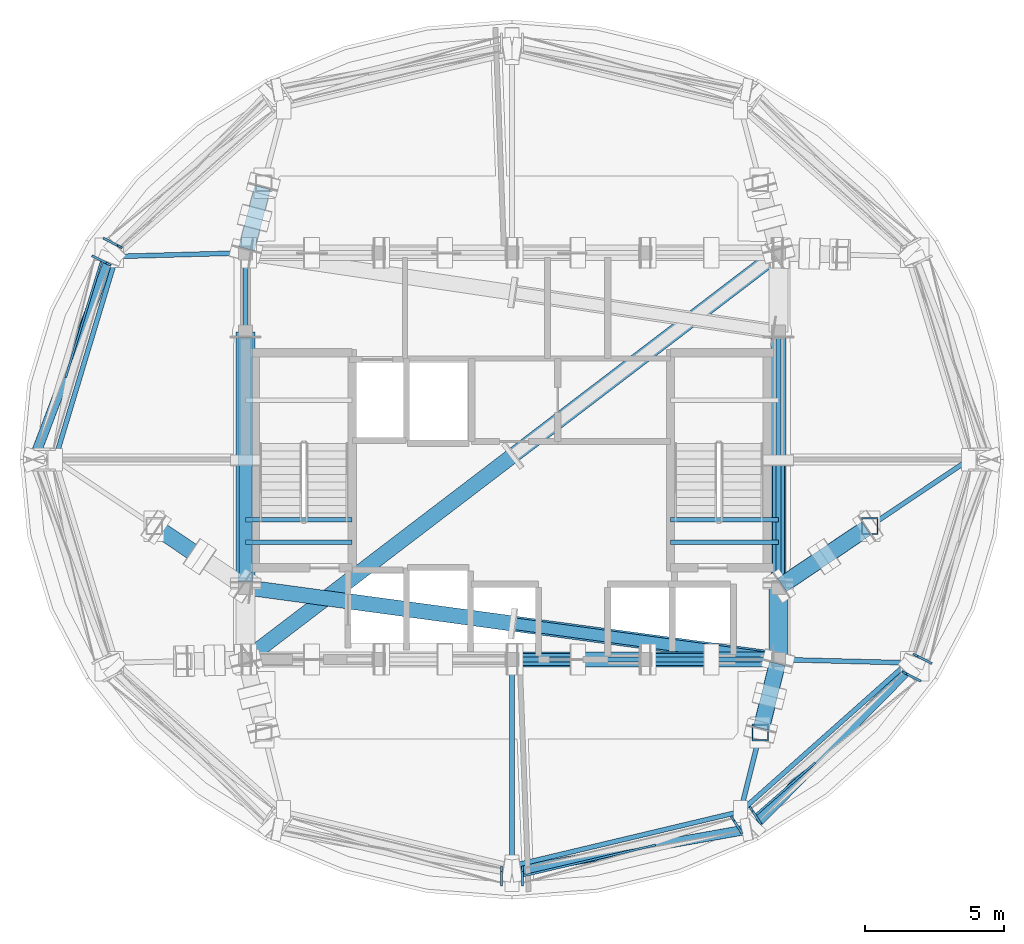
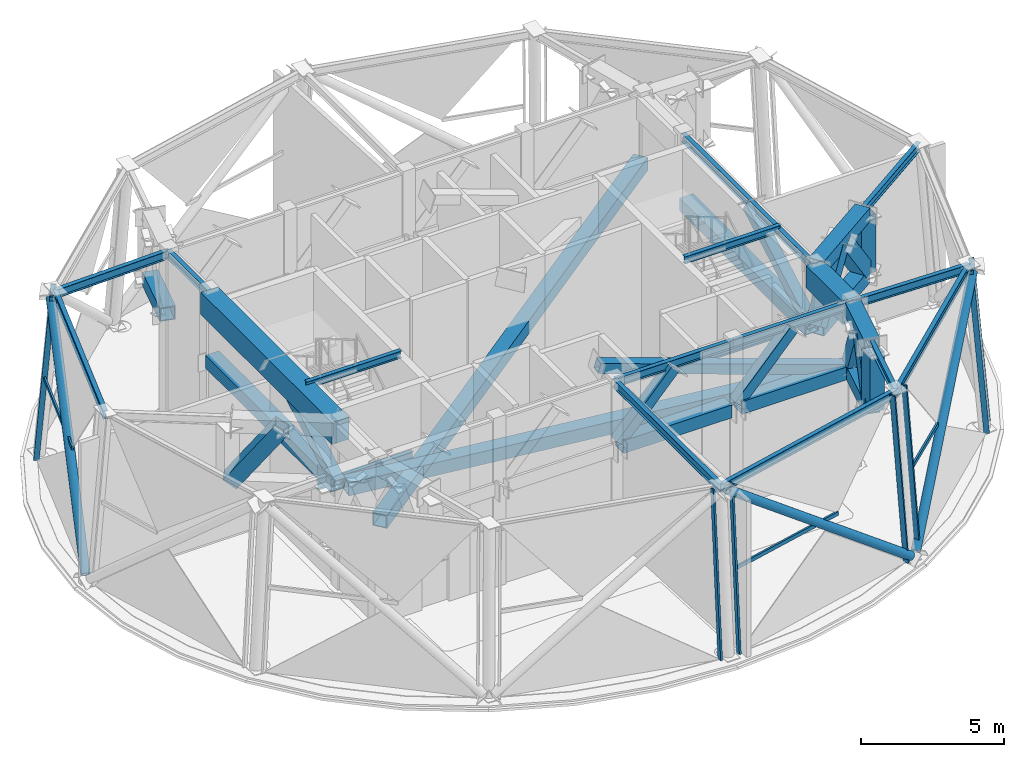
# One storey, part 2 of 12: 37 members, 18 beams, 6 elements without a shape of their own.
"""IFC4 building model written with IfcOpenShell, lengths in metres."""

from ifc_helpers import new_model, si_unit, direction, frame, origin, origin_2d, place, context, subcontext, project, spatial, rectangle, hollow_rectangle, hollow_circle, i_section, extrude, material, layer, layer_set, material_profile, profile_set, type_object, element, aggregate, save


model = new_model("IFC4")

# Units and contexts
model_context = context("Model", 3, precision=1e-05, world=origin(), true_north=direction((0.0, 1.0)))
body_context = subcontext(model_context, "Body", "Model", "MODEL_VIEW")
ifc_project = project(units=[si_unit("LENGTHUNIT", "METRE"), si_unit("AREAUNIT", "SQUARE_METRE"), si_unit("VOLUMEUNIT", "CUBIC_METRE"), si_unit("PLANEANGLEUNIT", "RADIAN"), si_unit("MASSUNIT", "GRAM", prefix="KILO")], contexts=[model_context])

# Site, building, storey
site_placement = place(None, origin())
site = spatial("IfcSite", under=ifc_project, at=site_placement, CompositionType="ELEMENT")
building_placement = place(site_placement, origin())
building = spatial("IfcBuilding", under=site, at=building_placement, Name="Vantalir Tower", CompositionType="ELEMENT")
storey_placement = place(building_placement, frame((0.0, 0.0, 304.5)))
storey = spatial("IfcBuildingStorey", under=building, at=storey_placement, Name="L76", CompositionType="ELEMENT", Elevation=304.5)

# Beams
ifc_material_1 = material(Name="Concrete C60/75", Category="concrete")
ifc_material_profile_1 = material_profile(ifc_material_1, rectangle(XDim=0.699951171875, YDim=0.949951171875, at=origin_2d()), Name="Concrete C60/75")
ifc_profile_set_1 = profile_set([ifc_material_profile_1], Name="Concrete C60/75")
beam_type_1 = type_object("IfcBeamType", Name="BM-CB-700x950", PredefinedType="USERDEFINED", material=ifc_profile_set_1)
beam_1_placement = place(storey_placement, frame((41.10009765625, 17.800048828125, 6.594970703125), z_axis=(0.0, 1.0, 0.0), x_axis=(-1.0, 0.0, 0.0)))
element("IfcBeam", 1, at=beam_1_placement, inside=storey, type_object=beam_type_1, Name="L76 Core Coupling Girder 05", ObjectType="GIRDER", PredefinedType="USERDEFINED", context=body_context, shape_type="SweptSolid", body=[
    extrude(rectangle(XDim=0.699951171875, YDim=0.949951171875, at=origin_2d()), origin(), (0.0, 0.0, 1.0), 2.599853515625),
])
beam_2_placement = place(storey_placement, frame((21.89990234375, 29.60009765625, 6.594970703125), z_axis=(0.0, -1.0, 0.0), x_axis=(1.0, 0.0, 0.0)))
element("IfcBeam", 2, at=beam_2_placement, inside=storey, type_object=beam_type_1, Name="L76 Core Coupling Girder 13", ObjectType="GIRDER", PredefinedType="USERDEFINED", context=body_context, shape_type="SweptSolid", body=[
    extrude(rectangle(XDim=0.699951171875, YDim=0.949951171875, at=origin_2d()), origin(), (0.0, 0.0, 1.0), 9.2001953125),
])
ifc_material_2 = material(Name="Steel S355", Category="steel")
ifc_material_profile_2 = material_profile(ifc_material_2, i_section(OverallWidth=0.166015625, OverallDepth=0.306884765625, WebThickness=0.006591796875, FlangeThickness=0.01171875, at=origin_2d()), Name="Steel S355")
ifc_profile_set_2 = profile_set([ifc_material_profile_2], Name="Steel S355")
beam_type_2 = type_object("IfcBeamType", Name="BM-JS-305x165", PredefinedType="JOIST", material=ifc_profile_set_2)
for number, where, z_axis, x_axis, name in (
    (3, (21.89990234375, 22.8349609375, 7.095947265625), (1.0, 0.0, 0.0), (0.0, 1.0, 0.0), "L77 Stair ST1 Well Nosing Trimmer Beam"),
    (4, (21.89990234375, 22.02001953125, 3.27197265625), (1.0, 0.0, 0.0), (0.0, 1.0, 0.0), "L76 Stair ST1 Half-Landing Support Beam"),
):
    element("IfcBeam", number, at=place(storey_placement, frame(where, z_axis=z_axis, x_axis=x_axis)), inside=storey, type_object=beam_type_2, Name=name, PredefinedType="JOIST", context=body_context, shape_type="SweptSolid", body=[
        extrude(i_section(OverallWidth=0.166015625, OverallDepth=0.306884765625, WebThickness=0.006591796875, FlangeThickness=0.01171875, at=origin_2d()), origin(), (0.0, 0.0, 1.0), 3.840087890625),
    ])
for number, where, z_axis, x_axis, name in (
    (5, (37.2099609375, 22.8349609375, 7.095947265625), (1.0, 0.0, 0.0), (0.0, 1.0, 0.0), "L77 Stair ST2 Well Nosing Trimmer Beam"),
    (6, (37.2099609375, 22.02001953125, 3.27197265625), (1.0, 0.0, 0.0), (0.0, 1.0, 0.0), "L76 Stair ST2 Half-Landing Support Beam"),
):
    element("IfcBeam", number, at=place(storey_placement, frame(where, z_axis=z_axis, x_axis=x_axis)), inside=storey, type_object=beam_type_2, Name=name, PredefinedType="JOIST", context=body_context, shape_type="SweptSolid", body=[
        extrude(i_section(OverallWidth=0.166015625, OverallDepth=0.306884765625, WebThickness=0.006591796875, FlangeThickness=0.01171875, at=origin_2d()), origin(), (0.0, 0.0, 1.0), 3.89013671875),
    ])
ifc_material_3 = material(Name="Steel S460", Category="steel")
ifc_material_profile_3 = material_profile(ifc_material_3, i_section(OverallWidth=0.172119140625, OverallDepth=0.35791015625, WebThickness=0.008056640625, FlangeThickness=0.012939453125, at=origin_2d()), Name="Steel S460")
ifc_profile_set_3 = profile_set([ifc_material_profile_3], Name="Steel S460")
beam_type_3 = type_object("IfcBeamType", Name="BM-RB-356x171", PredefinedType="BEAM", material=ifc_profile_set_3)
for number, where, z_axis, x_axis, name in (
    (7, (31.5, 17.800048828125, 6.89111328125), (1.0, 0.0, 0.0), (0.0, 1.0, 0.0), "L76 Core Coupling Girder 03"),
    (8, (36.300048828125, 17.800048828125, 6.89111328125), (1.0, 0.0, 0.0), (0.0, 1.0, 0.0), "L76 Core Coupling Girder 04"),
):
    element("IfcBeam", number, at=place(storey_placement, frame(where, z_axis=z_axis, x_axis=x_axis)), inside=storey, type_object=beam_type_3, Name=name, PredefinedType="BEAM", context=body_context, shape_type="SweptSolid", body=[
        extrude(i_section(OverallWidth=0.172119140625, OverallDepth=0.35791015625, WebThickness=0.008056640625, FlangeThickness=0.012939453125, at=origin_2d()), origin(), (0.0, 0.0, 1.0), 4.800048828125),
    ])
beam_3_placement = place(storey_placement, frame((41.10009765625, 20.39990234375, 6.89111328125), z_axis=(0.0, 1.0, 0.0), x_axis=(-1.0, 0.0, 0.0)))
element("IfcBeam", 9, at=beam_3_placement, inside=storey, type_object=beam_type_3, Name="L76 Core Coupling Girder 06", PredefinedType="BEAM", context=body_context, shape_type="SweptSolid", body=[
    extrude(i_section(OverallWidth=0.172119140625, OverallDepth=0.35791015625, WebThickness=0.008056640625, FlangeThickness=0.012939453125, at=origin_2d()), origin(), (0.0, 0.0, 1.0), 9.2001953125),
])
beam_4_placement = place(storey_placement, frame((21.89990234375, 32.449951171875, 6.89111328125), z_axis=(0.0, -1.0, 0.0), x_axis=(1.0, 0.0, 0.0)))
element("IfcBeam", 10, at=beam_4_placement, inside=storey, type_object=beam_type_3, Name="L76 Core Coupling Girder 12", PredefinedType="BEAM", context=body_context, shape_type="SweptSolid", body=[
    extrude(i_section(OverallWidth=0.172119140625, OverallDepth=0.35791015625, WebThickness=0.008056640625, FlangeThickness=0.012939453125, at=origin_2d()), origin(), (0.0, 0.0, 1.0), 2.849853515625),
])
beam_5_placement = place(storey_placement, frame((47.962890625, 25.0, 6.89111328125), z_axis=(-0.830656544516, -0.55678515161, 0.0), x_axis=(0.55678515161, -0.830656544516, 0.0)))
element("IfcBeam", 11, at=beam_5_placement, inside=storey, type_object=beam_type_3, Name="L76 Radial Floor Beam 01", PredefinedType="BEAM", context=body_context, shape_type="SweptSolid", body=[
    extrude(i_section(OverallWidth=0.172119140625, OverallDepth=0.35791015625, WebThickness=0.008056640625, FlangeThickness=0.012939453125, at=origin_2d()), origin(), (0.0, 0.0, 1.0), 8.261962890625),
])
beam_6_placement = place(storey_placement, frame((17.242919921875, 32.320068359375, 6.89111328125), z_axis=(-0.288522484145, -0.957473120324, 0.0), x_axis=(0.957473120324, -0.288522484145, 0.0)))
element("IfcBeam", 12, at=beam_6_placement, inside=storey, type_object=beam_type_3, Name="L76 Circumferential Ring Girder 06", PredefinedType="BEAM", context=body_context, shape_type="SweptSolid", body=[
    extrude(i_section(OverallWidth=0.172119140625, OverallDepth=0.35791015625, WebThickness=0.008056640625, FlangeThickness=0.012939453125, at=origin_2d()), origin(), (0.0, 0.0, 1.0), 7.645263671875),
])
beam_7_placement = place(storey_placement, frame((17.242919921875, 32.320068359375, 6.89111328125), z_axis=(0.999611303254, 0.02787906754, 0.0), x_axis=(-0.02787906754, 0.999611303254, 0.0)))
element("IfcBeam", 13, at=beam_7_placement, inside=storey, type_object=beam_type_3, Name="L76 Radial Floor Beam 06", PredefinedType="BEAM", context=body_context, shape_type="SweptSolid", body=[
    extrude(i_section(OverallWidth=0.172119140625, OverallDepth=0.35791015625, WebThickness=0.008056640625, FlangeThickness=0.012939453125, at=origin_2d()), origin(), (0.0, 0.0, 1.0), 4.65869140625),
])
beam_8_placement = place(storey_placement, frame((31.5, 10.360107421875, 6.89111328125), z_axis=(0.972780825365, 0.231727136525, 0.0), x_axis=(-0.231727136525, 0.972780825365, 0.0)))
element("IfcBeam", 14, at=beam_8_placement, inside=storey, type_object=beam_type_3, Name="L76 Circumferential Ring Girder 10", PredefinedType="BEAM", context=body_context, shape_type="SweptSolid", body=[
    extrude(i_section(OverallWidth=0.172119140625, OverallDepth=0.35791015625, WebThickness=0.008056640625, FlangeThickness=0.012939453125, at=origin_2d()), origin(), (0.0, 0.0, 1.0), 8.462158203125),
])
beam_9_placement = place(storey_placement, frame((31.5, 10.360107421875, 6.89111328125), z_axis=(0.0, 1.0, 0.0), x_axis=(-1.0, 0.0, 0.0)))
element("IfcBeam", 15, at=beam_9_placement, inside=storey, type_object=beam_type_3, Name="L76 Radial Floor Beam 10", PredefinedType="BEAM", context=body_context, shape_type="SweptSolid", body=[
    extrude(i_section(OverallWidth=0.172119140625, OverallDepth=0.35791015625, WebThickness=0.008056640625, FlangeThickness=0.012939453125, at=origin_2d()), origin(), (0.0, 0.0, 1.0), 7.43994140625),
])
beam_10_placement = place(storey_placement, frame((39.73193359375, 12.321044921875, 6.89111328125), z_axis=(0.74721217047, 0.664585564319, 0.0), x_axis=(-0.664585564319, 0.74721217047, 0.0)))
element("IfcBeam", 16, at=beam_10_placement, inside=storey, type_object=beam_type_3, Name="L76 Circumferential Ring Girder 11", PredefinedType="BEAM", context=body_context, shape_type="SweptSolid", body=[
    extrude(i_section(OverallWidth=0.172119140625, OverallDepth=0.35791015625, WebThickness=0.008056640625, FlangeThickness=0.012939453125, at=origin_2d()), origin(), (0.0, 0.0, 1.0), 8.0634765625),
])
beam_11_placement = place(storey_placement, frame((39.73193359375, 12.321044921875, 6.89111328125), z_axis=(0.242271138986, 0.970208583354, 0.0), x_axis=(-0.970208583354, 0.242271138986, 0.0)))
element("IfcBeam", 17, at=beam_11_placement, inside=storey, type_object=beam_type_3, Name="L76 Radial Floor Beam 11", PredefinedType="BEAM", context=body_context, shape_type="SweptSolid", body=[
    extrude(i_section(OverallWidth=0.172119140625, OverallDepth=0.35791015625, WebThickness=0.008056640625, FlangeThickness=0.012939453125, at=origin_2d()), origin(), (0.0, 0.0, 1.0), 5.647216796875),
])
beam_12_placement = place(storey_placement, frame((45.757080078125, 17.679931640625, 6.89111328125), z_axis=(-0.99966752845, 0.025784347261, 0.0), x_axis=(-0.025784347261, -0.99966752845, 0.0)))
element("IfcBeam", 18, at=beam_12_placement, inside=storey, type_object=beam_type_3, Name="L76 Radial Floor Beam 12", PredefinedType="BEAM", context=body_context, shape_type="SweptSolid", body=[
    extrude(i_section(OverallWidth=0.172119140625, OverallDepth=0.35791015625, WebThickness=0.008056640625, FlangeThickness=0.012939453125, at=origin_2d()), origin(), (0.0, 0.0, 1.0), 4.658447265625),
])

# Curtain wall, member
ifc_material_4 = material(Name="Champagne-silver PVDF aluminium and double-silver Low-E glass", Category="aluminium")
ifc_layer = layer(ifc_material_4, 0.25)
ifc_layer_set = layer_set([ifc_layer], Name="Champagne-silver PVDF aluminium and double-silver Low-E glass")
curtain_wall_type = type_object("IfcCurtainWallType", Name="CW-CROWN-PT", PredefinedType="USERDEFINED", material=ifc_layer_set)
curtain_wall_1_placement = place(storey_placement, origin())
curtain_wall_1 = element("IfcCurtainWall", 19, at=curtain_wall_1_placement, inside=storey, type_object=curtain_wall_type, Name="L76 Quilted Pyramid-Diamond Curtain Wall S05", ObjectType="UNITISED CURTAIN WALL", PredefinedType="USERDEFINED")
ifc_material_5 = material(Name="Champagne-silver PVDF aluminium 6063-T6", Category="aluminium")
ifc_material_profile_4 = material_profile(ifc_material_5, hollow_rectangle(XDim=0.080078125, YDim=0.199951171875, WallThickness=0.0048828125, at=origin_2d()), Name="Champagne-silver PVDF aluminium 6063-T6")
ifc_profile_set_4 = profile_set([ifc_material_profile_4], Name="Champagne-silver PVDF aluminium 6063-T6")
member_type_1 = type_object("IfcMemberType", Name="CWM-200x80", PredefinedType="MULLION", material=ifc_profile_set_4)
member_1_placement = place(storey_placement, frame((16.861083984375, 32.93603515625, 0.044921875), z_axis=(0.072510152923, -0.037405477926, 0.996665996181), x_axis=(0.458457889365, 0.888716132226, 0.0)))
member_1 = element("IfcMember", 20, at=member_1_placement, type_object=member_type_1, Name="CW-L76-S05 Mullion 2", PredefinedType="MULLION", context=body_context, shape_type="SweptSolid", body=[
    extrude(hollow_rectangle(XDim=0.080078125, YDim=0.199951171875, WallThickness=0.0048828125, at=origin_2d()), origin(), (0.0, 0.0, 1.0), 7.00341796875),
])
aggregate(curtain_wall_1, [member_1])

curtain_wall_2_placement = place(storey_placement, origin())
curtain_wall_2 = element("IfcCurtainWall", 21, at=curtain_wall_2_placement, inside=storey, type_object=curtain_wall_type, Name="L76 Quilted Pyramid-Diamond Curtain Wall S06", ObjectType="UNITISED CURTAIN WALL", PredefinedType="USERDEFINED")
member_2_placement = place(storey_placement, frame((16.4580078125, 32.303955078125, 0.044921875), z_axis=(0.072544830154, -0.037405383352, 0.996663476262), x_axis=(0.4582838613, 0.888805885709, 0.0)))
member_2 = element("IfcMember", 22, at=member_2_placement, type_object=member_type_1, Name="CW-L76-S06 Mullion 1", PredefinedType="MULLION", context=body_context, shape_type="SweptSolid", body=[
    extrude(hollow_rectangle(XDim=0.080078125, YDim=0.199951171875, WallThickness=0.0048828125, at=origin_2d()), origin(), (0.0, 0.0, 1.0), 7.00341796875),
])

curtain_wall_3_placement = place(storey_placement, origin())
curtain_wall_3 = element("IfcCurtainWall", 23, at=curtain_wall_3_placement, inside=storey, type_object=curtain_wall_type, Name="L76 Quilted Pyramid-Diamond Curtain Wall S09", ObjectType="UNITISED CURTAIN WALL", PredefinedType="USERDEFINED")
member_3_placement = place(storey_placement, frame((31.12109375, 9.737060546875, 0.044921875), z_axis=(0.0, 0.074850645186, 0.99719475576), x_axis=(-1.0, 0.0, 0.0)))
member_3 = element("IfcMember", 24, at=member_3_placement, type_object=member_type_1, Name="CW-L76-S09 Mullion 2", PredefinedType="MULLION", context=body_context, shape_type="SweptSolid", body=[
    extrude(hollow_rectangle(XDim=0.080078125, YDim=0.199951171875, WallThickness=0.0048828125, at=origin_2d()), origin(), (0.0, 0.0, 1.0), 6.99951171875),
])
aggregate(curtain_wall_3, [member_3])

# Curtain wall, members
curtain_wall_4_placement = place(storey_placement, origin())
curtain_wall_4 = element("IfcCurtainWall", 25, at=curtain_wall_4_placement, inside=storey, type_object=curtain_wall_type, Name="L76 Quilted Pyramid-Diamond Curtain Wall S10", ObjectType="UNITISED CURTAIN WALL", PredefinedType="USERDEFINED")
member_4_placement = place(storey_placement, frame((31.87890625, 9.737060546875, 0.044921875), z_axis=(0.0, 0.074850645186, 0.99719475576), x_axis=(-1.0, 0.0, 0.0)))
member_4 = element("IfcMember", 26, at=member_4_placement, type_object=member_type_1, Name="CW-L76-S10 Mullion 1", PredefinedType="MULLION", context=body_context, shape_type="SweptSolid", body=[
    extrude(hollow_rectangle(XDim=0.080078125, YDim=0.199951171875, WallThickness=0.0048828125, at=origin_2d()), origin(), (0.0, 0.0, 1.0), 6.99951171875),
])
member_5_placement = place(storey_placement, frame((39.740966796875, 11.612060546875, 0.044921875), z_axis=(-0.041847578349, 0.064828873459, 0.997018554167), x_axis=(-0.840163795979, -0.542332735436, 0.0)))
member_5 = element("IfcMember", 27, at=member_5_placement, type_object=member_type_1, Name="CW-L76-S10 Mullion 2", PredefinedType="MULLION", context=body_context, shape_type="SweptSolid", body=[
    extrude(hollow_rectangle(XDim=0.080078125, YDim=0.199951171875, WallThickness=0.0048828125, at=origin_2d()), origin(), (0.0, 0.0, 1.0), 7.000732421875),
])

curtain_wall_5_placement = place(storey_placement, origin())
curtain_wall_5 = element("IfcCurtainWall", 28, at=curtain_wall_5_placement, inside=storey, type_object=curtain_wall_type, Name="L76 Quilted Pyramid-Diamond Curtain Wall S11", ObjectType="UNITISED CURTAIN WALL", PredefinedType="USERDEFINED")
member_6_placement = place(storey_placement, frame((40.410888671875, 11.9619140625, 0.044921875), z_axis=(-0.041847483716, 0.06486359976, 0.997016299532), x_axis=(-0.840296648224, -0.542126869822, 0.0)))
member_6 = element("IfcMember", 29, at=member_6_placement, type_object=member_type_1, Name="CW-L76-S11 Mullion 1", PredefinedType="MULLION", context=body_context, shape_type="SweptSolid", body=[
    extrude(hollow_rectangle(XDim=0.080078125, YDim=0.199951171875, WallThickness=0.0048828125, at=origin_2d()), origin(), (0.0, 0.0, 1.0), 7.0009765625),
])
member_7_placement = place(storey_placement, frame((46.138916015625, 17.06396484375, 0.044921875), z_axis=(-0.072510152923, 0.037405477926, 0.996665996181), x_axis=(-0.458457889365, -0.888716132226, 0.0)))
member_7 = element("IfcMember", 30, at=member_7_placement, type_object=member_type_1, Name="CW-L76-S11 Mullion 2", PredefinedType="MULLION", context=body_context, shape_type="SweptSolid", body=[
    extrude(hollow_rectangle(XDim=0.080078125, YDim=0.199951171875, WallThickness=0.0048828125, at=origin_2d()), origin(), (0.0, 0.0, 1.0), 7.00341796875),
])

# Curtain wall, member
curtain_wall_6_placement = place(storey_placement, origin())
curtain_wall_6 = element("IfcCurtainWall", 31, at=curtain_wall_6_placement, inside=storey, type_object=curtain_wall_type, Name="L76 Quilted Pyramid-Diamond Curtain Wall S12", ObjectType="UNITISED CURTAIN WALL", PredefinedType="USERDEFINED")
member_8_placement = place(storey_placement, frame((46.5419921875, 17.696044921875, 0.044921875), z_axis=(-0.072544830154, 0.037405383352, 0.996663476262), x_axis=(-0.4582838613, -0.888805885709, 0.0)))
member_8 = element("IfcMember", 32, at=member_8_placement, type_object=member_type_1, Name="CW-L76-S12 Mullion 1", PredefinedType="MULLION", context=body_context, shape_type="SweptSolid", body=[
    extrude(hollow_rectangle(XDim=0.080078125, YDim=0.199951171875, WallThickness=0.0048828125, at=origin_2d()), origin(), (0.0, 0.0, 1.0), 7.00341796875),
])
aggregate(curtain_wall_6, [member_8])

# Member
ifc_material_profile_5 = material_profile(ifc_material_5, hollow_rectangle(XDim=0.074951171875, YDim=0.159912109375, WallThickness=0.00390625, at=origin_2d()), Name="Champagne-silver PVDF aluminium 6063-T6")
ifc_profile_set_5 = profile_set([ifc_material_profile_5], Name="Champagne-silver PVDF aluminium 6063-T6")
member_type_2 = type_object("IfcMemberType", Name="CWT-160x75", PredefinedType="USERDEFINED", material=ifc_profile_set_5)
member_9_placement = place(storey_placement, frame((16.7119140625, 32.173095703125, 3.534912109375), z_axis=(-0.293244658179, -0.956037431511, 0.0), x_axis=(0.956037431511, -0.293244658179, 0.0)))
member_9 = element("IfcMember", 33, at=member_9_placement, type_object=member_type_2, Name="CW-L76-S06 Pyramid Fold Ridge Transom", ObjectType="TRANSOM", PredefinedType="USERDEFINED", context=body_context, shape_type="SweptSolid", body=[
    extrude(hollow_rectangle(XDim=0.074951171875, YDim=0.159912109375, WallThickness=0.00390625, at=origin_2d()), origin(), (0.0, 0.0, 1.0), 4.40576171875),
])

aggregate(curtain_wall_2, [member_2, member_9])

member_10_placement = place(storey_placement, frame((31.87890625, 9.9990234375, 3.534912109375), z_axis=(0.973850724167, 0.227188835641, 0.0), x_axis=(-0.227188835641, 0.973850724167, 0.0)))
member_10 = element("IfcMember", 34, at=member_10_placement, type_object=member_type_2, Name="CW-L76-S10 Pyramid Fold Ridge Transom", ObjectType="TRANSOM", PredefinedType="USERDEFINED", context=body_context, shape_type="SweptSolid", body=[
    extrude(hollow_rectangle(XDim=0.074951171875, YDim=0.159912109375, WallThickness=0.00390625, at=origin_2d()), origin(), (0.0, 0.0, 1.0), 4.920654296875),
])

aggregate(curtain_wall_4, [member_4, member_5, member_10])

member_11_placement = place(storey_placement, frame((40.264892578125, 12.18896484375, 3.534912109375), z_axis=(0.752243558528, 0.658885140714, 0.0), x_axis=(-0.658885140714, 0.752243558528, 0.0)))
member_11 = element("IfcMember", 35, at=member_11_placement, type_object=member_type_2, Name="CW-L76-S11 Pyramid Fold Ridge Transom", ObjectType="TRANSOM", PredefinedType="USERDEFINED", context=body_context, shape_type="SweptSolid", body=[
    extrude(hollow_rectangle(XDim=0.074951171875, YDim=0.159912109375, WallThickness=0.00390625, at=origin_2d()), origin(), (0.0, 0.0, 1.0), 2.86083984375),
])

aggregate(curtain_wall_5, [member_6, member_7, member_11])

# Members
ifc_material_profile_6 = material_profile(ifc_material_3, hollow_rectangle(XDim=0.419921875, YDim=0.419921875, WallThickness=0.030029296875, at=origin_2d()), Name="Steel S460")
ifc_profile_set_6 = profile_set([ifc_material_profile_6], Name="Steel S460")
member_type_3 = type_object("IfcMemberType", Name="MEM-BT-420x30", PredefinedType="BRACE", material=ifc_profile_set_6)
for number, where, z_axis, x_axis, name in (
    (36, (31.6220703125, 17.800048828125, 4.3330078125), (0.675415093438, 0.0, 0.737437761141), (0.0, 1.0, 0.0), "L76 Belt Truss Web Diagonal 03A"),
    (37, (36.422119140625, 17.800048828125, 4.3330078125), (0.675415093438, 0.0, 0.737437761141), (0.0, 1.0, 0.0), "L76 Belt Truss Web Diagonal 04A"),
):
    element("IfcMember", number, at=place(storey_placement, frame(where, z_axis=z_axis, x_axis=x_axis)), inside=storey, type_object=member_type_3, Name=name, PredefinedType="BRACE", context=body_context, shape_type="SweptSolid", body=[
        extrude(hollow_rectangle(XDim=0.419921875, YDim=0.419921875, WallThickness=0.030029296875, at=origin_2d()), origin(), (0.0, 0.0, 1.0), 3.322265625),
    ])
member_12_placement = place(storey_placement, frame((40.927978515625, 17.822998046875, 4.2470703125), z_axis=(-0.956581835605, 0.129619079546, 0.261055714376), x_axis=(-0.134275243426, -0.990944074609, 0.0)))
element("IfcMember", 38, at=member_12_placement, inside=storey, type_object=member_type_3, Name="L76 Belt Truss Web Diagonal 05A", PredefinedType="BRACE", context=body_context, shape_type="SweptSolid", body=[
    extrude(hollow_rectangle(XDim=0.419921875, YDim=0.419921875, WallThickness=0.030029296875, at=origin_2d()), origin(), (0.0, 0.0, 1.0), 9.8056640625),
])
for number, where, z_axis, x_axis, name in (
    (39, (21.89990234375, 20.555908203125, 4.2890625), (0.0, 0.869013392342, 0.494788564875), (-1.0, 0.0, 0.0), "L76 Belt Truss Web Diagonal 06A"),
    (40, (41.10009765625, 20.555908203125, 4.2890625), (0.0, 0.869013392342, 0.494788564875), (-1.0, 0.0, 0.0), "L76 Belt Truss Web Diagonal 08A"),
):
    element("IfcMember", number, at=place(storey_placement, frame(where, z_axis=z_axis, x_axis=x_axis)), inside=storey, type_object=member_type_3, Name=name, PredefinedType="BRACE", context=body_context, shape_type="SweptSolid", body=[
        extrude(hollow_rectangle(XDim=0.419921875, YDim=0.419921875, WallThickness=0.030029296875, at=origin_2d()), origin(), (0.0, 0.0, 1.0), 5.064453125),
    ])
ifc_material_profile_7 = material_profile(ifc_material_3, hollow_rectangle(XDim=0.550048828125, YDim=0.550048828125, WallThickness=0.035888671875, at=origin_2d()), Name="Steel S460")
ifc_profile_set_7 = profile_set([ifc_material_profile_7], Name="Steel S460")
member_type_4 = type_object("IfcMemberType", Name="MEM-CH-550x36", PredefinedType="CHORD", material=ifc_profile_set_7)
member_13_placement = place(storey_placement, frame((31.699951171875, 17.800048828125, 4.199951171875), z_axis=(1.0, 0.0, 0.0), x_axis=(0.0, 1.0, 0.0)))
element("IfcMember", 41, at=member_13_placement, inside=storey, type_object=member_type_4, Name="L76 Belt Truss Bottom Chord 03", PredefinedType="CHORD", context=body_context, shape_type="SweptSolid", body=[
    extrude(hollow_rectangle(XDim=0.550048828125, YDim=0.550048828125, WallThickness=0.035888671875, at=origin_2d()), origin(), (0.0, 0.0, 1.0), 4.400146484375),
])
member_14_placement = place(storey_placement, frame((36.5, 17.800048828125, 4.199951171875), z_axis=(1.0, 0.0, 0.0), x_axis=(0.0, 1.0, 0.0)))
element("IfcMember", 42, at=member_14_placement, inside=storey, type_object=member_type_4, Name="L76 Belt Truss Bottom Chord 04", PredefinedType="CHORD", context=body_context, shape_type="SweptSolid", body=[
    extrude(hollow_rectangle(XDim=0.550048828125, YDim=0.550048828125, WallThickness=0.035888671875, at=origin_2d()), origin(), (0.0, 0.0, 1.0), 4.39990234375),
])
member_15_placement = place(storey_placement, frame((40.902099609375, 17.826904296875, 4.199951171875), z_axis=(-0.990957185683, 0.134178448878, 0.0), x_axis=(-0.134178448878, -0.990957185683, 0.0)))
element("IfcMember", 43, at=member_15_placement, inside=storey, type_object=member_type_4, Name="L76 Belt Truss Bottom Chord 05", PredefinedType="CHORD", context=body_context, shape_type="SweptSolid", body=[
    extrude(hollow_rectangle(XDim=0.550048828125, YDim=0.550048828125, WallThickness=0.035888671875, at=origin_2d()), origin(), (0.0, 0.0, 1.0), 18.975830078125),
])
for number, where, z_axis, x_axis, name in (
    (44, (21.89990234375, 20.60009765625, 4.199951171875), (0.0, 1.0, 0.0), (-1.0, 0.0, 0.0), "L76 Belt Truss Bottom Chord 06"),
    (45, (41.10009765625, 20.60009765625, 4.199951171875), (0.0, 1.0, 0.0), (-1.0, 0.0, 0.0), "L76 Belt Truss Bottom Chord 08"),
):
    element("IfcMember", number, at=place(storey_placement, frame(where, z_axis=z_axis, x_axis=x_axis)), inside=storey, type_object=member_type_4, Name=name, PredefinedType="CHORD", context=body_context, shape_type="SweptSolid", body=[
        extrude(hollow_rectangle(XDim=0.550048828125, YDim=0.550048828125, WallThickness=0.035888671875, at=origin_2d()), origin(), (0.0, 0.0, 1.0), 8.7998046875),
    ])
member_16_placement = place(storey_placement, frame((40.94091796875, 32.3291015625, 4.199951171875), z_axis=(-0.794984119943, -0.606630240788, 0.0), x_axis=(0.606630240788, -0.794984119943, 0.0)))
element("IfcMember", 46, at=member_16_placement, inside=storey, type_object=member_type_4, Name="L76 Belt Truss Bottom Chord 14", PredefinedType="CHORD", context=body_context, shape_type="SweptSolid", body=[
    extrude(hollow_rectangle(XDim=0.550048828125, YDim=0.550048828125, WallThickness=0.035888671875, at=origin_2d()), origin(), (0.0, 0.0, 1.0), 23.751220703125),
])
ifc_material_profile_8 = material_profile(ifc_material_3, hollow_rectangle(XDim=0.580078125, YDim=0.580078125, WallThickness=0.0380859375, at=origin_2d()), Name="Steel S460")
ifc_profile_set_8 = profile_set([ifc_material_profile_8], Name="Steel S460")
member_type_5 = type_object("IfcMemberType", Name="MEM-CH-580x38", PredefinedType="CHORD", material=ifc_profile_set_8)
for number, where, z_axis, x_axis, name in (
    (47, (41.22509765625, 20.48388671875, 4.199951171875), (0.830694795831, 0.556728081005, 0.0), (-0.556728081005, 0.830694795831, 0.0), "L76 Outrigger Truss Bottom Chord 01"),
    (48, (41.22509765625, 20.48388671875, 6.820068359375), (0.830694795831, 0.556728081005, 0.0), (-0.556728081005, 0.830694795831, 0.0), "L76 Outrigger Truss Top Chord 01"),
):
    element("IfcMember", number, at=place(storey_placement, frame(where, z_axis=z_axis, x_axis=x_axis)), inside=storey, type_object=member_type_5, Name=name, PredefinedType="CHORD", context=body_context, shape_type="SweptSolid", body=[
        extrude(hollow_rectangle(XDim=0.580078125, YDim=0.580078125, WallThickness=0.0380859375, at=origin_2d()), origin(), (0.0, 0.0, 1.0), 3.664306640625),
    ])
member_17_placement = place(storey_placement, frame((21.93798828125, 32.594970703125, 4.199951171875), z_axis=(0.253210046647, 0.967411325278, 0.0), x_axis=(-0.967411325278, 0.253210046647, 0.0)))
element("IfcMember", 49, at=member_17_placement, inside=storey, type_object=member_type_5, Name="L76 Outrigger Truss Bottom Chord 04", PredefinedType="CHORD", context=body_context, shape_type="SweptSolid", body=[
    extrude(hollow_rectangle(XDim=0.580078125, YDim=0.580078125, WallThickness=0.0380859375, at=origin_2d()), origin(), (0.0, 0.0, 1.0), 2.294677734375),
])
for number, where, z_axis, x_axis, name in (
    (50, (41.06396484375, 17.654052734375, 4.199951171875), (-0.242702460026, -0.970100776155, 0.0), (0.970100776155, -0.242702460026, 0.0), "L76 Outrigger Truss Bottom Chord 08"),
    (51, (41.06396484375, 17.654052734375, 6.820068359375), (-0.242702460026, -0.970100776155, 0.0), (0.970100776155, -0.242702460026, 0.0), "L76 Outrigger Truss Top Chord 08"),
):
    element("IfcMember", number, at=place(storey_placement, frame(where, z_axis=z_axis, x_axis=x_axis)), inside=storey, type_object=member_type_5, Name=name, PredefinedType="CHORD", context=body_context, shape_type="SweptSolid", body=[
        extrude(hollow_rectangle(XDim=0.580078125, YDim=0.580078125, WallThickness=0.0380859375, at=origin_2d()), origin(), (0.0, 0.0, 1.0), 2.41015625),
    ])
ifc_material_profile_9 = material_profile(ifc_material_3, hollow_circle(Radius=0.177490234375, WallThickness=0.02001953125, at=origin_2d()), Name="Steel S460")
ifc_profile_set_9 = profile_set([ifc_material_profile_9], Name="Steel S460")
member_type_6 = type_object("IfcMemberType", Name="MEM-DB-355x20", PredefinedType="BRACE", material=ifc_profile_set_9)
member_18_placement = place(storey_placement, frame((14.319091796875, 25.155029296875, 0.22509765625), z_axis=(0.267869695363, 0.704904952931, 0.656776090947), x_axis=(-0.934781020776, 0.355224496899, 0.0)))
element("IfcMember", 52, at=member_18_placement, inside=storey, type_object=member_type_6, Name="L76 CROWN FRAME Diagrid Brace R19R", PredefinedType="BRACE", context=body_context, shape_type="SweptSolid", body=[
    extrude(hollow_circle(Radius=0.177490234375, WallThickness=0.02001953125, at=origin_2d()), origin(), (0.0, 0.0, 1.0), 10.079345703125),
])
member_19_placement = place(storey_placement, frame((40.239013671875, 11.822998046875, 0.220947265625), z_axis=(0.538584937277, 0.546147340959, 0.641599054942), x_axis=(-0.712019198283, 0.702159996922, 0.0)))
element("IfcMember", 53, at=member_19_placement, inside=storey, type_object=member_type_6, Name="L76 CROWN FRAME Diagrid Brace R31L", PredefinedType="BRACE", context=body_context, shape_type="SweptSolid", body=[
    extrude(hollow_circle(Radius=0.177490234375, WallThickness=0.02001953125, at=origin_2d()), origin(), (0.0, 0.0, 1.0), 10.330810546875),
])
member_20_placement = place(storey_placement, frame((39.949951171875, 11.673095703125, 0.216064453125), z_axis=(-0.772818347018, -0.137496267313, 0.619553531979), x_axis=(0.175164654269, -0.984539153053, 0.0)))
element("IfcMember", 54, at=member_20_placement, inside=storey, type_object=member_type_6, Name="L76 CROWN FRAME Diagrid Brace R31R", PredefinedType="BRACE", context=body_context, shape_type="SweptSolid", body=[
    extrude(hollow_circle(Radius=0.177490234375, WallThickness=0.02001953125, at=origin_2d()), origin(), (0.0, 0.0, 1.0), 10.714111328125),
])
ifc_material_profile_10 = material_profile(ifc_material_3, hollow_rectangle(XDim=0.60009765625, YDim=0.60009765625, WallThickness=0.0400390625, at=origin_2d()), Name="Steel S460")
ifc_profile_set_10 = profile_set([ifc_material_profile_10], Name="Steel S460")
member_type_7 = type_object("IfcMemberType", Name="MEM-OR-600x40", PredefinedType="BRACE", material=ifc_profile_set_10)
member_21_placement = place(storey_placement, frame((41.175048828125, 20.449951171875, 4.320068359375), z_axis=(0.50137552309, 0.336301295481, 0.797197606308), x_axis=(-0.557049881514, 0.830479036162, 0.0)))
element("IfcMember", 55, at=member_21_placement, inside=storey, type_object=member_type_7, Name="L76 Outrigger Truss Diagonal 01A", PredefinedType="BRACE", context=body_context, shape_type="SweptSolid", body=[
    extrude(hollow_rectangle(XDim=0.60009765625, YDim=0.60009765625, WallThickness=0.0400390625, at=origin_2d()), origin(), (0.0, 0.0, 1.0), 3.015625),
])
member_22_placement = place(storey_placement, frame((42.806884765625, 21.5439453125, 6.72412109375), z_axis=(0.501436126705, 0.336287644548, -0.797165246959), x_axis=(-0.556987849931, 0.830520640941, 0.0)))
element("IfcMember", 56, at=member_22_placement, inside=storey, type_object=member_type_7, Name="L76 Outrigger Truss Diagonal 01B", PredefinedType="BRACE", context=body_context, shape_type="SweptSolid", body=[
    extrude(hollow_rectangle(XDim=0.60009765625, YDim=0.60009765625, WallThickness=0.0400390625, at=origin_2d()), origin(), (0.0, 0.0, 1.0), 3.015869140625),
])
member_23_placement = place(storey_placement, frame((44.39404296875, 22.60791015625, 4.280029296875), z_axis=(0.0, 0.0, 1.0), x_axis=(1.0, 0.0, 0.0)))
element("IfcMember", 57, at=member_23_placement, inside=storey, type_object=member_type_7, Name="L76 Outrigger Truss Tip Post 01", PredefinedType="BRACE", context=body_context, shape_type="SweptSolid", body=[
    extrude(hollow_rectangle(XDim=0.60009765625, YDim=0.60009765625, WallThickness=0.0400390625, at=origin_2d()), origin(), (0.0, 0.0, 1.0), 2.4599609375),
])
member_24_placement = place(storey_placement, frame((20.193115234375, 21.5439453125, 6.72412109375), z_axis=(-0.501436126705, 0.336287644548, -0.797165246959), x_axis=(-0.556987849931, -0.830520640941, 0.0)))
element("IfcMember", 58, at=member_24_placement, inside=storey, type_object=member_type_7, Name="L76 Outrigger Truss Diagonal 05B", PredefinedType="BRACE", context=body_context, shape_type="SweptSolid", body=[
    extrude(hollow_rectangle(XDim=0.60009765625, YDim=0.60009765625, WallThickness=0.0400390625, at=origin_2d()), origin(), (0.0, 0.0, 1.0), 3.015869140625),
])
for number, where, z_axis, x_axis, name in (
    (59, (41.0830078125, 17.73291015625, 4.3330078125), (-0.111245941054, -0.445894869385, 0.888145318096), (0.970259008467, -0.242069115108, 0.0), "L76 Outrigger Truss Diagonal 08A"),
    (60, (40.758056640625, 16.431884765625, 6.712890625), (-0.111245941054, -0.445894869385, -0.888145318096), (0.970259008467, -0.242069115108, 0.0), "L76 Outrigger Truss Diagonal 08B"),
):
    element("IfcMember", number, at=place(storey_placement, frame(where, z_axis=z_axis, x_axis=x_axis)), inside=storey, type_object=member_type_7, Name=name, PredefinedType="BRACE", context=body_context, shape_type="SweptSolid", body=[
        extrude(hollow_rectangle(XDim=0.60009765625, YDim=0.60009765625, WallThickness=0.0400390625, at=origin_2d()), origin(), (0.0, 0.0, 1.0), 2.6796875),
    ])
member_25_placement = place(storey_placement, frame((40.443115234375, 15.169921875, 4.280029296875), z_axis=(0.0, 0.0, 1.0), x_axis=(1.0, 0.0, 0.0)))
element("IfcMember", 61, at=member_25_placement, inside=storey, type_object=member_type_7, Name="L76 Outrigger Truss Tip Post 08", PredefinedType="BRACE", context=body_context, shape_type="SweptSolid", body=[
    extrude(hollow_rectangle(XDim=0.60009765625, YDim=0.60009765625, WallThickness=0.0400390625, at=origin_2d()), origin(), (0.0, 0.0, 1.0), 2.4599609375),
])

save(model, "model.ifc")
